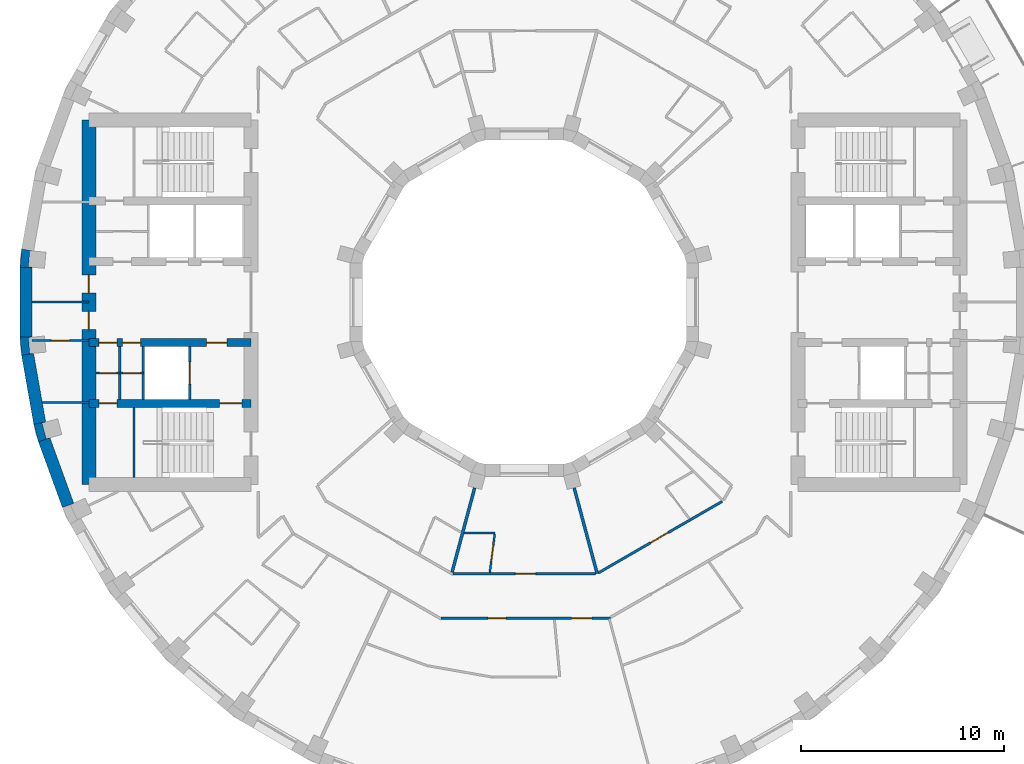
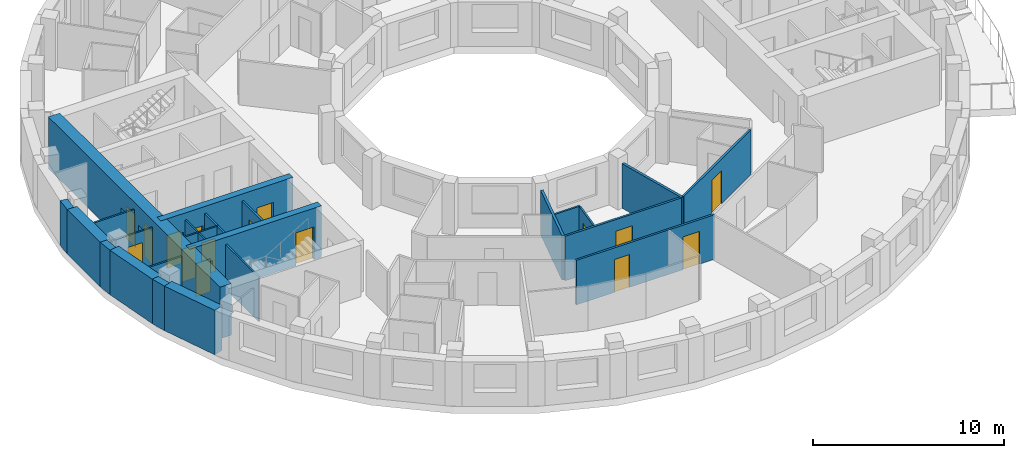
# One storey, part 3 of 11: 25 walls, 16 doors, 16 openings.
"""IFC4 building model written with IfcOpenShell, lengths in metres."""

from ifc_helpers import new_model, si_unit, direction, frame, frame_2d, origin, place, context, subcontext, project, spatial, polyline, rectangle, outline, extrude, material, layer, layer_set, type_object, element, fill, save


model = new_model("IFC4")

# Units and contexts
model_context = context("Model", 3, precision=1e-05, world=origin(), true_north=direction((0.0, 1.0)))
body_context = subcontext(model_context, "Body", "Model", "MODEL_VIEW")
ifc_project = project(units=[si_unit("LENGTHUNIT", "METRE"), si_unit("AREAUNIT", "SQUARE_METRE"), si_unit("VOLUMEUNIT", "CUBIC_METRE"), si_unit("PLANEANGLEUNIT", "RADIAN"), si_unit("MASSUNIT", "GRAM", prefix="KILO")], contexts=[model_context])

# Site, building, storey
site_placement = place(None, origin())
site = spatial("IfcSite", under=ifc_project, at=site_placement, CompositionType="ELEMENT")
building_placement = place(site_placement, origin())
building = spatial("IfcBuilding", under=site, at=building_placement, Name="Saqina Gate Tower", CompositionType="ELEMENT")
storey_placement = place(building_placement, frame((0.0, 0.0, 180.60009765625)))
storey = spatial("IfcBuildingStorey", under=building, at=storey_placement, Name="L51", CompositionType="ELEMENT", Elevation=180.60009765625)

# Walls
ifc_material_1 = material(Name="Brick masonry (buff)", Category="masonry")
wall_type_1 = type_object("IfcWallType", Name="BRICK PIER COPING BUFF", PredefinedType="SOLIDWALL", material=ifc_material_1)
wall_1_placement = place(storey_placement, origin())
element("IfcWall", 1, at=wall_1_placement, inside=storey, type_object=wall_type_1, Name="Pier cap L51 column 18", PredefinedType="SOLIDWALL", context=body_context, shape_type="SweptSolid", body=[
    extrude(outline(polyline([(-24.825927734375, 2.6259765625), (-24.90478515625, 1.724853515625), (-24.304931640625, 1.724853515625), (-24.491455078125, 1.7412109375), (-24.421630859375, 2.5380859375), (-24.235107421875, 2.521728515625), (-24.825927734375, 2.6259765625)])), origin(), (0.0, 0.0, 1.0), 2.849853515625),
])
wall_2_placement = place(storey_placement, origin())
element("IfcWall", 2, at=wall_2_placement, inside=storey, type_object=wall_type_1, Name="Pier cap L51 column 19", PredefinedType="SOLIDWALL", context=body_context, shape_type="SweptSolid", body=[
    extrude(outline(polyline([(-24.90478515625, -1.724853515625), (-24.825927734375, -2.6259765625), (-24.235107421875, -2.521728515625), (-24.421630859375, -2.5380859375), (-24.491455078125, -1.7412109375), (-24.304931640625, -1.724853515625), (-24.90478515625, -1.724853515625)])), origin(), (0.0, 0.0, 1.0), 2.849853515625),
])
wall_3_placement = place(storey_placement, origin())
element("IfcWall", 3, at=wall_3_placement, inside=storey, type_object=wall_type_1, Name="Pier cap L51 column 20", PredefinedType="SOLIDWALL", context=body_context, shape_type="SweptSolid", body=[
    extrude(outline(polyline([(-24.22705078125, -6.0234375), (-23.992919921875, -6.897216796875), (-23.428955078125, -6.69189453125), (-23.610107421875, -6.740478515625), (-23.81689453125, -5.967529296875), (-23.635986328125, -5.919189453125), (-24.22705078125, -6.0234375)])), origin(), (0.0, 0.0, 1.0), 2.849853515625),
])
ifc_material_2 = material(Name="Gypsum board on steel studs", Category="steel")
ifc_layer_1 = layer(ifc_material_2, 0.10009765625)
ifc_layer_set_1 = layer_set([ifc_layer_1], Name="CORE PARTITION")
wall_type_2 = type_object("IfcWallType", Name="CORE PARTITION", PredefinedType="PARTITIONING", material=ifc_layer_set_1)
wall_4_placement = place(storey_placement, frame((-21.5, -4.949951171875, 0.0), z_axis=(0.0, 0.0, 1.0), x_axis=(-1.0, 0.0, 0.0)))
element("IfcWall", 4, at=wall_4_placement, inside=storey, type_object=wall_type_2, Name="L51-CP-W02", PredefinedType="PARTITIONING", context=body_context, shape_type="SweptSolid", body=[
    extrude(rectangle(XDim=2.306884765625, YDim=0.10009765625, at=frame_2d((1.1533203125, 0.0))), origin(), (0.0, 0.0, 1.0), 2.849853515625),
])

# Wall, opening, door
wall_5_placement = place(storey_placement, frame((-21.5, -1.89990234375, 0.0), z_axis=(0.0, 0.0, 1.0), x_axis=(-1.0, 0.0, 0.0)))
wall_5 = element("IfcWall", 5, at=wall_5_placement, inside=storey, type_object=wall_type_2, Name="L51-CP-W03", PredefinedType="PARTITIONING", context=body_context, shape_type="SweptSolid", body=[
    extrude(rectangle(XDim=2.804931640625, YDim=0.10009765625, at=frame_2d((1.40234375, 0.0))), origin(), (0.0, 0.0, 1.0), 2.849853515625),
])
opening_1_placement = place(wall_5_placement, frame((0.952392578125, 0.0, 0.0)))
opening_1 = element("IfcOpeningElement", 6, at=opening_1_placement, cuts=wall_5, Name="Opening G15-D111", PredefinedType="OPENING", context=body_context, shape_type="SweptSolid", body=[
    extrude(rectangle(XDim=0.89990234375, YDim=2.10009765625, at=frame_2d((0.449951171875, 1.050048828125))), frame((0.0, 0.06201171875, 0.0), z_axis=(0.0, -1.0, 0.0), x_axis=(1.0, 0.0, 0.0)), (0.0, 0.0, 1.0), 0.1240234375),
])
ifc_material_3 = material(Name="Steel-framed fire door leaf, EI 60", Category="steel")
door_type_1 = type_object("IfcDoorType", Name="SERVICE ROOM DOOR 900", OperationType="SINGLE_SWING_LEFT", PredefinedType="DOOR", material=ifc_material_3)
door_1_placement = place(opening_1_placement, origin())
door_1 = element("IfcDoor", 7, at=door_1_placement, inside=storey, type_object=door_type_1, Name="L51-CD-W22", OperationType="SINGLE_SWING_LEFT", OverallHeight=2.10009765625, OverallWidth=0.89990234375, PredefinedType="DOOR", context=body_context, shape_type="SweptSolid", body=[
    extrude(rectangle(XDim=0.89990234375, YDim=2.10009765625, at=frame_2d((0.449951171875, 1.050048828125))), frame((0.0, 0.02490234375, 0.0), z_axis=(0.0, -1.0, 0.0), x_axis=(1.0, 0.0, 0.0)), (0.0, 0.0, 1.0), 0.050048828125),
])
fill(opening_1, door_1)

# Walls
wall_6_placement = place(storey_placement, frame((-21.5, 0.0, 0.0), z_axis=(0.0, 0.0, 1.0), x_axis=(-1.0, 0.0, 0.0)))
element("IfcWall", 8, at=wall_6_placement, inside=storey, type_object=wall_type_2, Name="L51-CP-W04", PredefinedType="PARTITIONING", context=body_context, shape_type="SweptSolid", body=[
    extrude(rectangle(XDim=2.804931640625, YDim=0.10009765625, at=frame_2d((1.40234375, 0.0))), origin(), (0.0, 0.0, 1.0), 2.849853515625),
])
wall_7_placement = place(storey_placement, frame((-19.97998046875, -4.800048828125, 0.0), z_axis=(0.0, 0.0, 1.0), x_axis=(0.0, 1.0, 0.0)))
element("IfcWall", 9, at=wall_7_placement, inside=storey, type_object=wall_type_2, Name="L51-CP-W09", PredefinedType="PARTITIONING", context=body_context, shape_type="SweptSolid", body=[
    extrude(rectangle(XDim=2.60009765625, YDim=0.10009765625, at=frame_2d((1.300048828125, 0.0))), origin(), (0.0, 0.0, 1.0), 2.849853515625),
])

# Wall, opening, door
wall_8_placement = place(storey_placement, frame((-18.81005859375, -3.5, 0.0), z_axis=(0.0, 0.0, 1.0), x_axis=(-1.0, 0.0, 0.0)))
wall_8 = element("IfcWall", 10, at=wall_8_placement, inside=storey, type_object=wall_type_2, Name="L51-CP-W11", PredefinedType="PARTITIONING", context=body_context, shape_type="SweptSolid", body=[
    extrude(rectangle(XDim=1.169921875, YDim=0.10009765625, at=frame_2d((0.5849609375, 0.0))), origin(), (0.0, 0.0, 1.0), 2.849853515625),
])
opening_2_placement = place(wall_8_placement, frame((0.14990234375, 0.0, 0.0)))
opening_2 = element("IfcOpeningElement", 11, at=opening_2_placement, cuts=wall_8, Name="Opening G15-D115", PredefinedType="OPENING", context=body_context, shape_type="SweptSolid", body=[
    extrude(rectangle(XDim=0.85009765625, YDim=2.10009765625, at=frame_2d((0.425048828125, 1.050048828125))), frame((0.0, 0.06201171875, 0.0), z_axis=(0.0, -1.0, 0.0), x_axis=(1.0, 0.0, 0.0)), (0.0, 0.0, 1.0), 0.1240234375),
])
ifc_material_4 = material(Name="Steel-framed fire door leaf, EI 60", Category="steel")
door_type_2 = type_object("IfcDoorType", Name="SERVICE ROOM DOOR 850", OperationType="SINGLE_SWING_LEFT", PredefinedType="DOOR", material=ifc_material_4)
door_2_placement = place(opening_2_placement, origin())
door_2 = element("IfcDoor", 12, at=door_2_placement, inside=storey, type_object=door_type_2, Name="L51-CD-W26", OperationType="SINGLE_SWING_LEFT", OverallHeight=2.10009765625, OverallWidth=0.85009765625, PredefinedType="DOOR", context=body_context, shape_type="SweptSolid", body=[
    extrude(rectangle(XDim=0.85009765625, YDim=2.10009765625, at=frame_2d((0.425048828125, 1.050048828125))), frame((0.0, 0.02490234375, 0.0), z_axis=(0.0, -1.0, 0.0), x_axis=(1.0, 0.0, 0.0)), (0.0, 0.0, 1.0), 0.050048828125),
])
fill(opening_2, door_2)

wall_9_placement = place(storey_placement, frame((-19.97998046875, -3.5, 0.0), z_axis=(0.0, 0.0, 1.0), x_axis=(-1.0, 0.0, 0.0)))
wall_9 = element("IfcWall", 13, at=wall_9_placement, inside=storey, type_object=wall_type_2, Name="L51-CP-W12", PredefinedType="PARTITIONING", context=body_context, shape_type="SweptSolid", body=[
    extrude(rectangle(XDim=1.169921875, YDim=0.10009765625, at=frame_2d((0.5849609375, 0.0))), origin(), (0.0, 0.0, 1.0), 2.849853515625),
])
opening_3_placement = place(wall_9_placement, frame((0.14990234375, 0.0, 0.0)))
opening_3 = element("IfcOpeningElement", 14, at=opening_3_placement, cuts=wall_9, Name="Opening G15-D116", PredefinedType="OPENING", context=body_context, shape_type="SweptSolid", body=[
    extrude(rectangle(XDim=0.85009765625, YDim=2.10009765625, at=frame_2d((0.425048828125, 1.050048828125))), frame((0.0, 0.06201171875, 0.0), z_axis=(0.0, -1.0, 0.0), x_axis=(1.0, 0.0, 0.0)), (0.0, 0.0, 1.0), 0.1240234375),
])
door_3_placement = place(opening_3_placement, origin())
door_3 = element("IfcDoor", 15, at=door_3_placement, inside=storey, type_object=door_type_2, Name="L51-CD-W27", OperationType="SINGLE_SWING_RIGHT", OverallHeight=2.10009765625, OverallWidth=0.85009765625, PredefinedType="DOOR", context=body_context, shape_type="SweptSolid", body=[
    extrude(rectangle(XDim=0.85009765625, YDim=2.10009765625, at=frame_2d((0.425048828125, 1.050048828125))), frame((0.0, 0.02490234375, 0.0), z_axis=(0.0, -1.0, 0.0), x_axis=(1.0, 0.0, 0.0)), (0.0, 0.0, 1.0), 0.050048828125),
])
fill(opening_3, door_3)

# Walls
ifc_material_5 = material(Name="Glazed ceramic tile", Category="ceramic")
ifc_layer_2 = layer(ifc_material_5, 0.60009765625)
ifc_layer_set_2 = layer_set([ifc_layer_2], Name="FW-TILE")
wall_type_3 = type_object("IfcWallType", Name="FW-TILE", PredefinedType="SOLIDWALL", material=ifc_layer_set_2)
for number, where, z_axis, x_axis, name in (
    (16, (-24.60498046875, 1.724853515625, 0.0), (0.0, 0.0, 1.0), (0.0, -1.0, 0.0), "Facade wall L51 facet 18"),
    (17, (-23.7109375, -6.79443359375, 0.0), (0.0, 0.0, 1.0), (0.342032843455, -0.93968799822, 0.0), "Facade wall L51 facet 20"),
):
    element("IfcWall", number, at=place(storey_placement, frame(where, z_axis=z_axis, x_axis=x_axis)), inside=storey, type_object=wall_type_3, Name=name, PredefinedType="SOLIDWALL", context=body_context, shape_type="SweptSolid", body=[
        extrude(rectangle(XDim=3.44970703125, YDim=0.60009765625, at=frame_2d((1.724853515625, 0.0))), origin(), (0.0, 0.0, 1.0), 2.849853515625),
    ])
ifc_material_6 = material(Name="Glazed ceramic tile (dark blue)", Category="ceramic")
ifc_layer_3 = layer(ifc_material_6, 0.60009765625)
ifc_layer_set_3 = layer_set([ifc_layer_3], Name="FW-TILE-CB")
wall_type_4 = type_object("IfcWallType", Name="FW-TILE-CB", PredefinedType="SOLIDWALL", material=ifc_layer_set_3)
wall_10_placement = place(storey_placement, frame((-24.530517578125, -2.573974609375, 0.0), z_axis=(0.0, 0.0, 1.0), x_axis=(0.173607684551, -0.984814892183, 0.0)))
element("IfcWall", 18, at=wall_10_placement, inside=storey, type_object=wall_type_4, Name="Facade wall L51 facet 19", PredefinedType="SOLIDWALL", context=body_context, shape_type="SweptSolid", body=[
    extrude(rectangle(XDim=3.44970703125, YDim=0.60009765625, at=frame_2d((1.724853515625, 0.0))), origin(), (0.0, 0.0, 1.0), 2.849853515625),
])
ifc_material_7 = material(Name="Gypsum board on steel studs, 100 mm", Category="steel")
ifc_layer_4 = layer(ifc_material_7, 0.10009765625)
ifc_layer_set_4 = layer_set([ifc_layer_4], Name="PARTITION 100")
wall_type_5 = type_object("IfcWallType", Name="PARTITION 100", PredefinedType="PARTITIONING", material=ifc_layer_set_4)
wall_11_placement = place(storey_placement, frame((-2.97998046875, -11.39990234375, 0.0), z_axis=(0.0, 0.0, 1.0), x_axis=(1.0, 0.0, 0.0)))
element("IfcWall", 19, at=wall_11_placement, inside=storey, type_object=wall_type_5, Name="PARTITION PW3-32", PredefinedType="PARTITIONING", context=body_context, shape_type="SweptSolid", body=[
    extrude(rectangle(XDim=1.51904296875, YDim=0.10009765625, at=frame_2d((0.759521484375, 0.0))), origin(), (0.0, 0.0, 1.0), 2.849853515625),
])

# Wall, opening, door
wall_12_placement = place(storey_placement, frame((-1.708984375, -13.337890625, 0.0), z_axis=(0.0, 0.0, 1.0), x_axis=(0.126970192357, 0.991906533023, 0.0)))
wall_12 = element("IfcWall", 20, at=wall_12_placement, inside=storey, type_object=wall_type_5, Name="PARTITION PW3-61", PredefinedType="PARTITIONING", context=body_context, shape_type="SweptSolid", body=[
    extrude(rectangle(XDim=1.903564453125, YDim=0.10009765625, at=frame_2d((0.95166015625, 0.0))), origin(), (0.0, 0.0, 1.0), 2.849853515625),
])
opening_4_placement = place(wall_12_placement, frame((0.545654296875, 0.0, 0.0)))
opening_4 = element("IfcOpeningElement", 21, at=opening_4_placement, cuts=wall_12, Name="Opening G15-D30", PredefinedType="OPENING", context=body_context, shape_type="SweptSolid", body=[
    extrude(rectangle(XDim=0.800048828125, YDim=2.10009765625, at=frame_2d((0.39990234375, 1.050048828125))), frame((0.0, 0.06201171875, 0.0), z_axis=(0.0, -1.0, 0.0), x_axis=(1.0, 0.0, 0.0)), (0.0, 0.0, 1.0), 0.1240234375),
])
ifc_material_8 = material(Name="Timber door leaf, 800 mm", Category="wood")
door_type_3 = type_object("IfcDoorType", Name="DOOR 800 TIMBER", OperationType="SINGLE_SWING_LEFT", PredefinedType="DOOR", material=ifc_material_8)
door_4_placement = place(opening_4_placement, frame((0.800048828125, 0.0, 0.0), z_axis=(0.0, 0.0, 1.0), x_axis=(-1.0, 0.0, 0.0)))
door_4 = element("IfcDoor", 22, at=door_4_placement, inside=storey, type_object=door_type_3, Name="DOOR G15-D30", OperationType="SINGLE_SWING_RIGHT", OverallHeight=2.10009765625, OverallWidth=0.800048828125, PredefinedType="DOOR", context=body_context, shape_type="SweptSolid", body=[
    extrude(rectangle(XDim=0.800048828125, YDim=2.10009765625, at=frame_2d((0.39990234375, 1.050048828125))), frame((0.0, 0.02490234375, 0.0), z_axis=(0.0, -1.0, 0.0), x_axis=(1.0, 0.0, 0.0)), (0.0, 0.0, 1.0), 0.050048828125),
])
fill(opening_4, door_4)

# Wall, openings, doors
ifc_material_9 = material(Name="Gypsum board on steel studs, 125 mm, fire rated", Category="steel")
ifc_layer_5 = layer(ifc_material_9, 0.125)
ifc_layer_set_5 = layer_set([ifc_layer_5], Name="PARTITION EI 30 125")
wall_type_6 = type_object("IfcWallType", Name="PARTITION EI 30 125", PredefinedType="PARTITIONING", material=ifc_layer_set_5)
wall_13_placement = place(storey_placement, frame((-4.117431640625, -15.60009765625, 0.0), z_axis=(0.0, 0.0, 1.0), x_axis=(1.0, 0.0, 0.0)))
wall_13 = element("IfcWall", 23, at=wall_13_placement, inside=storey, type_object=wall_type_6, Name="PARTITION PW1-19", PredefinedType="PARTITIONING", context=body_context, shape_type="SweptSolid", body=[
    extrude(rectangle(XDim=8.36962890625, YDim=0.125, at=frame_2d((4.184814453125, 0.0))), origin(), (0.0, 0.0, 1.0), 2.849853515625),
])
opening_5_placement = place(wall_13_placement, frame((2.3134765625, 0.0, 0.0)))
opening_5 = element("IfcOpeningElement", 24, at=opening_5_placement, cuts=wall_13, Name="Opening G15-D31", PredefinedType="OPENING", context=body_context, shape_type="SweptSolid", body=[
    extrude(rectangle(XDim=0.89990234375, YDim=2.10009765625, at=frame_2d((0.449951171875, 1.050048828125))), frame((0.0, 0.074462890625, 0.0), z_axis=(0.0, -1.0, 0.0), x_axis=(1.0, 0.0, 0.0)), (0.0, 0.0, 1.0), 0.14892578125),
])
opening_6_placement = place(wall_13_placement, frame((6.443603515625, 0.0, 0.0)))
opening_6 = element("IfcOpeningElement", 25, at=opening_6_placement, cuts=wall_13, Name="Opening G15-D33", PredefinedType="OPENING", context=body_context, shape_type="SweptSolid", body=[
    extrude(rectangle(XDim=1.0, YDim=2.10009765625, at=frame_2d((0.5, 1.050048828125))), frame((0.0, 0.074462890625, 0.0), z_axis=(0.0, -1.0, 0.0), x_axis=(1.0, 0.0, 0.0)), (0.0, 0.0, 1.0), 0.14892578125),
])
ifc_material_10 = material(Name="Fire door leaf EI 30, 1000 mm")
door_type_4 = type_object("IfcDoorType", Name="DOOR 1000 EI 30", OperationType="SINGLE_SWING_LEFT", PredefinedType="DOOR", material=ifc_material_10)
door_5_placement = place(opening_6_placement, origin())
door_5 = element("IfcDoor", 26, at=door_5_placement, inside=storey, type_object=door_type_4, Name="DOOR G15-D33", OperationType="SINGLE_SWING_RIGHT", OverallHeight=2.10009765625, OverallWidth=1.0, PredefinedType="DOOR", context=body_context, shape_type="SweptSolid", body=[
    extrude(rectangle(XDim=1.0, YDim=2.10009765625, at=frame_2d((0.5, 1.050048828125))), frame((0.0, 0.02490234375, 0.0), z_axis=(0.0, -1.0, 0.0), x_axis=(1.0, 0.0, 0.0)), (0.0, 0.0, 1.0), 0.050048828125),
])
fill(opening_6, door_5)
ifc_material_11 = material(Name="Fire door leaf EI 30, 900 mm")
door_type_5 = type_object("IfcDoorType", Name="DOOR 900 EI 30", OperationType="SINGLE_SWING_LEFT", PredefinedType="DOOR", material=ifc_material_11)
door_6_placement = place(opening_5_placement, frame((0.89990234375, 0.0, 0.0), z_axis=(0.0, 0.0, 1.0), x_axis=(-1.0, 0.0, 0.0)))
door_6 = element("IfcDoor", 27, at=door_6_placement, inside=storey, type_object=door_type_5, Name="DOOR G15-D31", OperationType="SINGLE_SWING_RIGHT", OverallHeight=2.10009765625, OverallWidth=0.89990234375, PredefinedType="DOOR", context=body_context, shape_type="SweptSolid", body=[
    extrude(rectangle(XDim=0.89990234375, YDim=2.10009765625, at=frame_2d((0.449951171875, 1.050048828125))), frame((0.0, 0.02490234375, 0.0), z_axis=(0.0, -1.0, 0.0), x_axis=(1.0, 0.0, 0.0)), (0.0, 0.0, 1.0), 0.050048828125),
])
fill(opening_5, door_6)

# Wall, opening, door
wall_14_placement = place(storey_placement, frame((-3.528564453125, -13.39990234375, 0.0), z_axis=(0.0, 0.0, 1.0), x_axis=(1.0, 0.0, 0.0)))
wall_14 = element("IfcWall", 28, at=wall_14_placement, inside=storey, type_object=wall_type_6, Name="PARTITION PW1-20", PredefinedType="PARTITIONING", context=body_context, shape_type="SweptSolid", body=[
    extrude(rectangle(XDim=7.044677734375, YDim=0.125, at=frame_2d((3.5224609375, 0.0))), origin(), (0.0, 0.0, 1.0), 2.849853515625),
])
opening_7_placement = place(wall_14_placement, frame((3.07958984375, 0.0, 0.0)))
opening_7 = element("IfcOpeningElement", 29, at=opening_7_placement, cuts=wall_14, Name="Opening G15-D32", PredefinedType="OPENING", context=body_context, shape_type="SweptSolid", body=[
    extrude(rectangle(XDim=1.0, YDim=2.10009765625, at=frame_2d((0.5, 1.050048828125))), frame((0.0, 0.074462890625, 0.0), z_axis=(0.0, -1.0, 0.0), x_axis=(1.0, 0.0, 0.0)), (0.0, 0.0, 1.0), 0.14892578125),
])
door_7_placement = place(opening_7_placement, origin())
door_7 = element("IfcDoor", 30, at=door_7_placement, inside=storey, type_object=door_type_4, Name="DOOR G15-D32", OperationType="SINGLE_SWING_RIGHT", OverallHeight=2.10009765625, OverallWidth=1.0, PredefinedType="DOOR", context=body_context, shape_type="SweptSolid", body=[
    extrude(rectangle(XDim=1.0, YDim=2.10009765625, at=frame_2d((0.5, 1.050048828125))), frame((0.0, 0.02490234375, 0.0), z_axis=(0.0, -1.0, 0.0), x_axis=(1.0, 0.0, 0.0)), (0.0, 0.0, 1.0), 0.050048828125),
])
fill(opening_7, door_7)

wall_15_placement = place(storey_placement, frame((3.656005859375, -13.362548828125, 0.0), z_axis=(0.0, 0.0, 1.0), x_axis=(0.865953330155, 0.500124814415, 0.0)))
wall_15 = element("IfcWall", 31, at=wall_15_placement, inside=storey, type_object=wall_type_6, Name="PARTITION PW1-25", PredefinedType="PARTITIONING", context=body_context, shape_type="SweptSolid", body=[
    extrude(rectangle(XDim=7.055419921875, YDim=0.125, at=frame_2d((3.52783203125, 0.0))), origin(), (0.0, 0.0, 1.0), 2.849853515625),
])
opening_8_placement = place(wall_15_placement, frame((2.96435546875, 0.0, 0.0)))
opening_8 = element("IfcOpeningElement", 32, at=opening_8_placement, cuts=wall_15, Name="Opening G15-D35", PredefinedType="OPENING", context=body_context, shape_type="SweptSolid", body=[
    extrude(rectangle(XDim=1.0, YDim=2.10009765625, at=frame_2d((0.5, 1.050048828125))), frame((0.0, 0.074462890625, 0.0), z_axis=(0.0, -1.0, 0.0), x_axis=(1.0, 0.0, 0.0)), (0.0, 0.0, 1.0), 0.14892578125),
])
door_8_placement = place(opening_8_placement, origin())
door_8 = element("IfcDoor", 33, at=door_8_placement, inside=storey, type_object=door_type_4, Name="DOOR G15-D35", OperationType="SINGLE_SWING_LEFT", OverallHeight=2.10009765625, OverallWidth=1.0, PredefinedType="DOOR", context=body_context, shape_type="SweptSolid", body=[
    extrude(rectangle(XDim=1.0, YDim=2.10009765625, at=frame_2d((0.5, 1.050048828125))), frame((0.0, 0.02490234375, 0.0), z_axis=(0.0, -1.0, 0.0), x_axis=(1.0, 0.0, 0.0)), (0.0, 0.0, 1.0), 0.050048828125),
])
fill(opening_8, door_8)

# Walls
ifc_material_12 = material(Name="Gypsum board on steel studs, 150 mm, fire rated", Category="steel")
ifc_layer_6 = layer(ifc_material_12, 0.14990234375)
ifc_layer_set_6 = layer_set([ifc_layer_6], Name="PARTITION EI 60 150")
wall_type_7 = type_object("IfcWallType", Name="PARTITION EI 60 150", PredefinedType="PARTITIONING", material=ifc_layer_set_6)
wall_16_placement = place(storey_placement, frame((2.455322265625, -9.169189453125, 0.0), z_axis=(0.0, 0.0, 1.0), x_axis=(0.259271855644, -0.9658043823, 0.0)))
element("IfcWall", 34, at=wall_16_placement, inside=storey, type_object=wall_type_7, Name="PARTITION PW2-01", PredefinedType="PARTITIONING", context=body_context, shape_type="SweptSolid", body=[
    extrude(rectangle(XDim=4.380615234375, YDim=0.14990234375, at=frame_2d((2.1904296875, 0.0))), origin(), (0.0, 0.0, 1.0), 2.849853515625),
])
wall_17_placement = place(storey_placement, frame((-3.574462890625, -13.33984375, 0.0), z_axis=(0.0, 0.0, 1.0), x_axis=(0.258651305752, 0.965970756303, 0.0)))
element("IfcWall", 35, at=wall_17_placement, inside=storey, type_object=wall_type_7, Name="PARTITION PW2-06", PredefinedType="PARTITIONING", context=body_context, shape_type="SweptSolid", body=[
    extrude(rectangle(XDim=4.318359375, YDim=0.14990234375, at=frame_2d((2.1591796875, 0.0))), origin(), (0.0, 0.0, 1.0), 2.849853515625),
])

# Wall, opening, door
ifc_material_13 = material(Name="Autoclaved aerated concrete block", Category="concrete")
ifc_layer_7 = layer(ifc_material_13, 0.1201171875)
ifc_layer_set_7 = layer_set([ifc_layer_7], Name="SHAFT PARTITION")
wall_type_8 = type_object("IfcWallType", Name="SHAFT PARTITION", PredefinedType="PARTITIONING", material=ifc_layer_set_7)
wall_18_placement = place(storey_placement, frame((-16.530029296875, -4.800048828125, 0.0), z_axis=(0.0, 0.0, 1.0), x_axis=(0.0, 1.0, 0.0)))
wall_18 = element("IfcWall", 36, at=wall_18_placement, inside=storey, type_object=wall_type_8, Name="L51-CP-W07", PredefinedType="PARTITIONING", context=body_context, shape_type="SweptSolid", body=[
    extrude(rectangle(XDim=2.60009765625, YDim=0.1201171875, at=frame_2d((1.300048828125, 0.0))), origin(), (0.0, 0.0, 1.0), 2.849853515625),
])
opening_9_placement = place(wall_18_placement, frame((0.75, 0.0, 0.0)))
opening_9 = element("IfcOpeningElement", 37, at=opening_9_placement, cuts=wall_18, Name="Opening G15-LD6", PredefinedType="OPENING", context=body_context, shape_type="SweptSolid", body=[
    extrude(rectangle(XDim=1.10009765625, YDim=2.10009765625, at=frame_2d((0.550048828125, 1.050048828125))), frame((0.0, 0.072021484375, 0.0), z_axis=(0.0, -1.0, 0.0), x_axis=(1.0, 0.0, 0.0)), (0.0, 0.0, 1.0), 0.14404296875),
])
ifc_material_14 = material(Name="Stainless steel", Category="steel")
door_type_6 = type_object("IfcDoorType", Name="LANDING DOOR", OperationType="DOUBLE_DOOR_SLIDING", PredefinedType="DOOR", material=ifc_material_14)
door_9_placement = place(opening_9_placement, origin())
door_9 = element("IfcDoor", 38, at=door_9_placement, inside=storey, type_object=door_type_6, Name="LANDING DOOR FF2", OperationType="DOUBLE_DOOR_SLIDING", OverallHeight=2.10009765625, OverallWidth=1.10009765625, PredefinedType="DOOR", context=body_context, shape_type="SweptSolid", body=[
    extrude(rectangle(XDim=1.10009765625, YDim=2.10009765625, at=frame_2d((0.550048828125, 1.050048828125))), frame((0.0, 0.02490234375, 0.0), z_axis=(0.0, -1.0, 0.0), x_axis=(1.0, 0.0, 0.0)), (0.0, 0.0, 1.0), 0.050048828125),
])
fill(opening_9, door_9)

# Walls
wall_19_placement = place(storey_placement, frame((-18.81005859375, -4.800048828125, 0.0), z_axis=(0.0, 0.0, 1.0), x_axis=(0.0, 1.0, 0.0)))
element("IfcWall", 39, at=wall_19_placement, inside=storey, type_object=wall_type_8, Name="L51-CP-W08", PredefinedType="PARTITIONING", context=body_context, shape_type="SweptSolid", body=[
    extrude(rectangle(XDim=2.60009765625, YDim=0.1201171875, at=frame_2d((1.300048828125, 0.0))), origin(), (0.0, 0.0, 1.0), 2.849853515625),
])
ifc_material_15 = material(Name="Autoclaved aerated concrete block", Category="concrete")
ifc_layer_8 = layer(ifc_material_15, 0.10009765625)
ifc_layer_set_8 = layer_set([ifc_layer_8], Name="STAIR ENCLOSURE WALL")
wall_type_9 = type_object("IfcWallType", Name="STAIR ENCLOSURE WALL", PredefinedType="PARTITIONING", material=ifc_layer_set_8)
wall_20_placement = place(storey_placement, frame((-19.27001953125, -8.64990234375, 0.0), z_axis=(0.0, 0.0, 1.0), x_axis=(0.0, 1.0, 0.0)))
element("IfcWall", 40, at=wall_20_placement, inside=storey, type_object=wall_type_9, Name="L51-CP-W14", PredefinedType="PARTITIONING", context=body_context, shape_type="SweptSolid", body=[
    extrude(rectangle(XDim=3.449951171875, YDim=0.10009765625, at=frame_2d((1.72509765625, 0.0))), origin(), (0.0, 0.0, 1.0), 2.849853515625),
])

# Wall, openings, doors
ifc_material_16 = material(Name="Concrete C60/75", Category="concrete")
ifc_layer_9 = layer(ifc_material_16, 0.39990234375)
ifc_layer_set_9 = layer_set([ifc_layer_9], Name="Concrete C60/75")
wall_type_10 = type_object("IfcWallType", Name="STR-CORE WALL-C-I", PredefinedType="SHEAR", material=ifc_layer_set_9)
wall_21_placement = place(storey_placement, frame((-13.5, -5.0, 0.0), z_axis=(0.0, 0.0, 1.0), x_axis=(-1.0, 0.0, 0.0)))
wall_21 = element("IfcWall", 41, at=wall_21_placement, inside=storey, type_object=wall_type_10, Name="CORE WALL L51 W-X2", PredefinedType="SHEAR", context=body_context, shape_type="SweptSolid", body=[
    extrude(rectangle(XDim=8.0, YDim=0.39990234375, at=frame_2d((4.0, 0.0))), origin(), (0.0, 0.0, 1.0), 3.2998046875),
])
opening_10_placement = place(wall_21_placement, frame((6.614990234375, 0.0, 0.0)))
opening_10 = element("IfcOpeningElement", 42, at=opening_10_placement, cuts=wall_21, Name="Opening G15-D117", PredefinedType="OPENING", context=body_context, shape_type="SweptSolid", body=[
    extrude(rectangle(XDim=0.89990234375, YDim=2.10009765625, at=frame_2d((0.449951171875, 1.050048828125))), frame((0.0, 0.2119140625, 0.0), z_axis=(0.0, -1.0, 0.0), x_axis=(1.0, 0.0, 0.0)), (0.0, 0.0, 1.0), 0.423828125),
])
opening_11_placement = place(wall_21_placement, frame((0.449951171875, 0.0, 0.0)))
opening_11 = element("IfcOpeningElement", 43, at=opening_11_placement, cuts=wall_21, Name="Opening G15-D118", PredefinedType="OPENING", context=body_context, shape_type="SweptSolid", body=[
    extrude(rectangle(XDim=1.10009765625, YDim=2.10009765625, at=frame_2d((0.550048828125, 1.050048828125))), frame((0.0, 0.2119140625, 0.0), z_axis=(0.0, -1.0, 0.0), x_axis=(1.0, 0.0, 0.0)), (0.0, 0.0, 1.0), 0.423828125),
])
ifc_material_17 = material(Name="Steel", Category="steel")
door_type_7 = type_object("IfcDoorType", Name="FIRE LOBBY DOOR EI 60 WIDE", OperationType="SINGLE_SWING_LEFT", PredefinedType="DOOR", material=ifc_material_17)
door_10_placement = place(opening_11_placement, origin())
door_10 = element("IfcDoor", 44, at=door_10_placement, inside=storey, type_object=door_type_7, Name="L51-CD-W29", OperationType="SINGLE_SWING_LEFT", OverallHeight=2.10009765625, OverallWidth=1.10009765625, PredefinedType="DOOR", context=body_context, shape_type="SweptSolid", body=[
    extrude(rectangle(XDim=1.10009765625, YDim=2.10009765625, at=frame_2d((0.550048828125, 1.050048828125))), frame((0.0, 0.02490234375, 0.0), z_axis=(0.0, -1.0, 0.0), x_axis=(1.0, 0.0, 0.0)), (0.0, 0.0, 1.0), 0.050048828125),
])
fill(opening_11, door_10)
door_11_placement = place(opening_10_placement, origin())
door_11 = element("IfcDoor", 45, at=door_11_placement, inside=storey, type_object=door_type_1, Name="L51-CD-W28", OperationType="SINGLE_SWING_RIGHT", OverallHeight=2.10009765625, OverallWidth=0.89990234375, PredefinedType="DOOR", context=body_context, shape_type="SweptSolid", body=[
    extrude(rectangle(XDim=0.89990234375, YDim=2.10009765625, at=frame_2d((0.449951171875, 1.050048828125))), frame((0.0, 0.02490234375, 0.0), z_axis=(0.0, -1.0, 0.0), x_axis=(1.0, 0.0, 0.0)), (0.0, 0.0, 1.0), 0.050048828125),
])
fill(opening_10, door_11)

wall_22_placement = place(storey_placement, frame((-13.5, -2.0, 0.0), z_axis=(0.0, 0.0, 1.0), x_axis=(-1.0, 0.0, 0.0)))
wall_22 = element("IfcWall", 46, at=wall_22_placement, inside=storey, type_object=wall_type_10, Name="CORE WALL L51 W-L2", PredefinedType="SHEAR", context=body_context, shape_type="SweptSolid", body=[
    extrude(rectangle(XDim=8.0, YDim=0.39990234375, at=frame_2d((4.0, 0.0))), origin(), (0.0, 0.0, 1.0), 3.2998046875),
])
opening_12_placement = place(wall_22_placement, frame((1.18994140625, 0.0, 0.0)))
opening_12 = element("IfcOpeningElement", 47, at=opening_12_placement, cuts=wall_22, Name="Opening G15-D107", PredefinedType="OPENING", context=body_context, shape_type="SweptSolid", body=[
    extrude(rectangle(XDim=1.0, YDim=2.10009765625, at=frame_2d((0.5, 1.050048828125))), frame((0.0, 0.2119140625, 0.0), z_axis=(0.0, -1.0, 0.0), x_axis=(1.0, 0.0, 0.0)), (0.0, 0.0, 1.0), 0.423828125),
])
opening_13_placement = place(wall_22_placement, frame((5.445068359375, 0.0, 0.0)))
opening_13 = element("IfcOpeningElement", 48, at=opening_13_placement, cuts=wall_22, Name="Opening G15-D108", PredefinedType="OPENING", context=body_context, shape_type="SweptSolid", body=[
    extrude(rectangle(XDim=0.89990234375, YDim=2.10009765625, at=frame_2d((0.449951171875, 1.050048828125))), frame((0.0, 0.2119140625, 0.0), z_axis=(0.0, -1.0, 0.0), x_axis=(1.0, 0.0, 0.0)), (0.0, 0.0, 1.0), 0.423828125),
])
opening_14_placement = place(wall_22_placement, frame((6.614990234375, 0.0, 0.0)))
opening_14 = element("IfcOpeningElement", 49, at=opening_14_placement, cuts=wall_22, Name="Opening G15-D109", PredefinedType="OPENING", context=body_context, shape_type="SweptSolid", body=[
    extrude(rectangle(XDim=0.89990234375, YDim=2.10009765625, at=frame_2d((0.449951171875, 1.050048828125))), frame((0.0, 0.2119140625, 0.0), z_axis=(0.0, -1.0, 0.0), x_axis=(1.0, 0.0, 0.0)), (0.0, 0.0, 1.0), 0.423828125),
])
ifc_material_18 = material(Name="Steel", Category="steel")
door_type_8 = type_object("IfcDoorType", Name="FIRE LOBBY DOOR EI 60", OperationType="SINGLE_SWING_LEFT", PredefinedType="DOOR", material=ifc_material_18)
door_12_placement = place(opening_12_placement, frame((1.0, 0.0, 0.0), z_axis=(0.0, 0.0, 1.0), x_axis=(-1.0, 0.0, 0.0)))
door_12 = element("IfcDoor", 50, at=door_12_placement, inside=storey, type_object=door_type_8, Name="L51-CD-W18", OperationType="SINGLE_SWING_RIGHT", OverallHeight=2.10009765625, OverallWidth=1.0, PredefinedType="DOOR", context=body_context, shape_type="SweptSolid", body=[
    extrude(rectangle(XDim=1.0, YDim=2.10009765625, at=frame_2d((0.5, 1.050048828125))), frame((0.0, 0.02490234375, 0.0), z_axis=(0.0, -1.0, 0.0), x_axis=(1.0, 0.0, 0.0)), (0.0, 0.0, 1.0), 0.050048828125),
])
fill(opening_12, door_12)
door_13_placement = place(opening_13_placement, origin())
door_13 = element("IfcDoor", 51, at=door_13_placement, inside=storey, type_object=door_type_1, Name="L51-CD-W19", OperationType="SINGLE_SWING_LEFT", OverallHeight=2.10009765625, OverallWidth=0.89990234375, PredefinedType="DOOR", context=body_context, shape_type="SweptSolid", body=[
    extrude(rectangle(XDim=0.89990234375, YDim=2.10009765625, at=frame_2d((0.449951171875, 1.050048828125))), frame((0.0, 0.02490234375, 0.0), z_axis=(0.0, -1.0, 0.0), x_axis=(1.0, 0.0, 0.0)), (0.0, 0.0, 1.0), 0.050048828125),
])
fill(opening_13, door_13)
door_14_placement = place(opening_14_placement, origin())
door_14 = element("IfcDoor", 52, at=door_14_placement, inside=storey, type_object=door_type_1, Name="L51-CD-W20", OperationType="SINGLE_SWING_RIGHT", OverallHeight=2.10009765625, OverallWidth=0.89990234375, PredefinedType="DOOR", context=body_context, shape_type="SweptSolid", body=[
    extrude(rectangle(XDim=0.89990234375, YDim=2.10009765625, at=frame_2d((0.449951171875, 1.050048828125))), frame((0.0, 0.02490234375, 0.0), z_axis=(0.0, -1.0, 0.0), x_axis=(1.0, 0.0, 0.0)), (0.0, 0.0, 1.0), 0.050048828125),
])
fill(opening_14, door_14)

ifc_material_19 = material(Name="Concrete C60/75", Category="concrete")
ifc_layer_10 = layer(ifc_material_19, 0.699951171875)
ifc_layer_set_10 = layer_set([ifc_layer_10], Name="Concrete C60/75")
wall_type_11 = type_object("IfcWallType", Name="STR-CORE WALL-C-O", PredefinedType="SHEAR", material=ifc_layer_set_10)
wall_23_placement = place(storey_placement, frame((-21.5, -9.0, 0.0), z_axis=(0.0, 0.0, 1.0), x_axis=(0.0, 1.0, 0.0)))
wall_23 = element("IfcWall", 53, at=wall_23_placement, inside=storey, type_object=wall_type_11, Name="CORE WALL L51 W-W2", PredefinedType="SHEAR", context=body_context, shape_type="SweptSolid", body=[
    extrude(rectangle(XDim=18.0, YDim=0.699951171875, at=frame_2d((9.0, 0.0))), origin(), (0.0, 0.0, 1.0), 3.2998046875),
])
opening_15_placement = place(wall_23_placement, frame((9.449951171875, 0.0, 0.0)))
opening_15 = element("IfcOpeningElement", 54, at=opening_15_placement, cuts=wall_23, Name="Opening G15-D110", PredefinedType="OPENING", context=body_context, shape_type="SweptSolid", body=[
    extrude(rectangle(XDim=0.89990234375, YDim=2.10009765625, at=frame_2d((0.449951171875, 1.050048828125))), frame((0.0, 0.362060546875, 0.0), z_axis=(0.0, -1.0, 0.0), x_axis=(1.0, 0.0, 0.0)), (0.0, 0.0, 1.0), 0.723876953125),
])
opening_16_placement = place(wall_23_placement, frame((7.64990234375, 0.0, 0.0)))
opening_16 = element("IfcOpeningElement", 55, at=opening_16_placement, cuts=wall_23, Name="Opening G15-D112", PredefinedType="OPENING", context=body_context, shape_type="SweptSolid", body=[
    extrude(rectangle(XDim=0.89990234375, YDim=2.10009765625, at=frame_2d((0.449951171875, 1.050048828125))), frame((0.0, 0.362060546875, 0.0), z_axis=(0.0, -1.0, 0.0), x_axis=(1.0, 0.0, 0.0)), (0.0, 0.0, 1.0), 0.723876953125),
])
door_15_placement = place(opening_15_placement, origin())
door_15 = element("IfcDoor", 56, at=door_15_placement, inside=storey, type_object=door_type_1, Name="L51-CD-W21", OperationType="SINGLE_SWING_LEFT", OverallHeight=2.10009765625, OverallWidth=0.89990234375, PredefinedType="DOOR", context=body_context, shape_type="SweptSolid", body=[
    extrude(rectangle(XDim=0.89990234375, YDim=2.10009765625, at=frame_2d((0.449951171875, 1.050048828125))), frame((0.0, 0.02490234375, 0.0), z_axis=(0.0, -1.0, 0.0), x_axis=(1.0, 0.0, 0.0)), (0.0, 0.0, 1.0), 0.050048828125),
])
fill(opening_15, door_15)
door_16_placement = place(opening_16_placement, origin())
door_16 = element("IfcDoor", 57, at=door_16_placement, inside=storey, type_object=door_type_1, Name="L51-CD-W23", OperationType="SINGLE_SWING_LEFT", OverallHeight=2.10009765625, OverallWidth=0.89990234375, PredefinedType="DOOR", context=body_context, shape_type="SweptSolid", body=[
    extrude(rectangle(XDim=0.89990234375, YDim=2.10009765625, at=frame_2d((0.449951171875, 1.050048828125))), frame((0.0, 0.02490234375, 0.0), z_axis=(0.0, -1.0, 0.0), x_axis=(1.0, 0.0, 0.0)), (0.0, 0.0, 1.0), 0.050048828125),
])
fill(opening_16, door_16)

save(model, "model.ifc")
